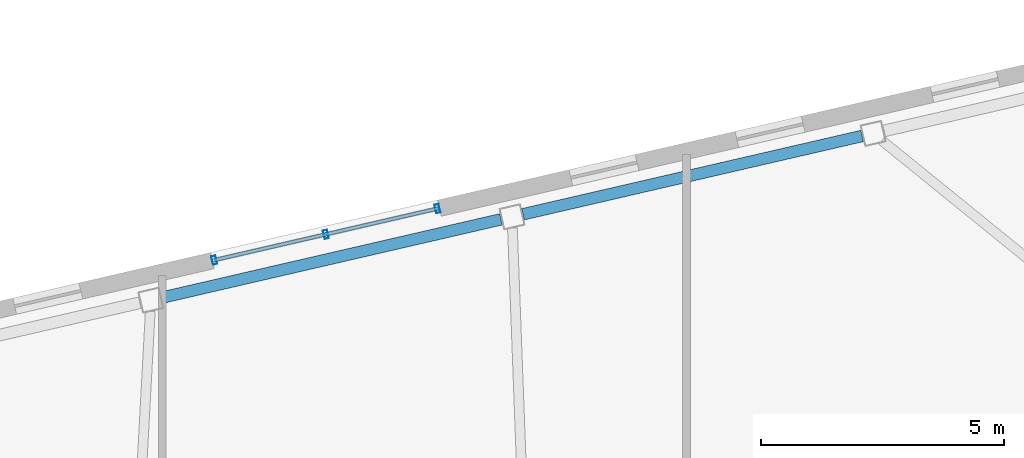
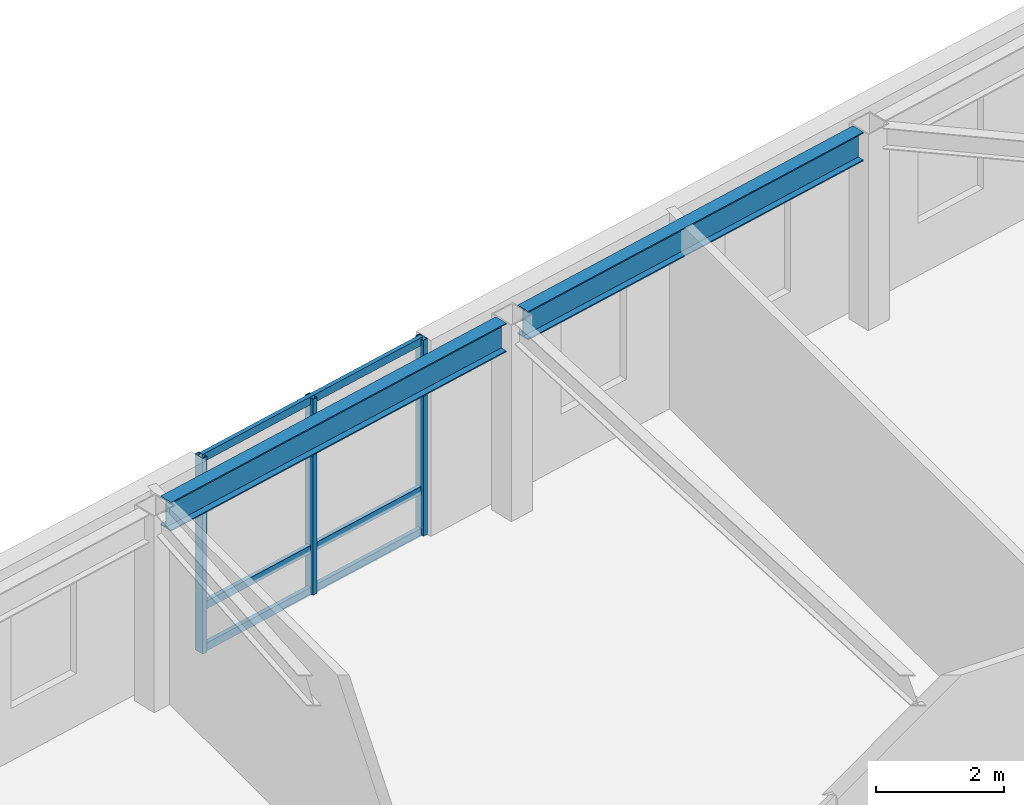
# One storey, part 14 of 23: 6 members, 2 beams, 1 element without a shape of its own.
"""IFC4 building model written with IfcOpenShell, lengths in metres."""

from ifc_helpers import new_model, si_unit, direction, frame, origin, origin_2d, place, context, subcontext, project, spatial, hollow_rectangle, i_section, extrude, material, layer, layer_set, material_profile, profile_set, type_object, element, aggregate, save


model = new_model("IFC4")

# Units and contexts
model_context = context("Model", 3, precision=1e-05, world=origin(), true_north=direction((0.0, 1.0)))
body_context = subcontext(model_context, "Body", "Model", "MODEL_VIEW")
ifc_project = project(units=[si_unit("LENGTHUNIT", "METRE"), si_unit("AREAUNIT", "SQUARE_METRE"), si_unit("VOLUMEUNIT", "CUBIC_METRE"), si_unit("PLANEANGLEUNIT", "RADIAN"), si_unit("MASSUNIT", "GRAM", prefix="KILO")], contexts=[model_context])

# Site, building, storey
site_placement = place(None, origin())
site = spatial("IfcSite", under=ifc_project, at=site_placement, CompositionType="ELEMENT")
building_placement = place(site_placement, origin())
building = spatial("IfcBuilding", under=site, at=building_placement, Name="Tavrogorsk Clinical Tower", CompositionType="ELEMENT")
storey_placement = place(building_placement, frame((0.0, 0.0, 297.0)))
storey = spatial("IfcBuildingStorey", under=building, at=storey_placement, Name="L69", CompositionType="ELEMENT", Elevation=297.0)

# Curtain wall, members
ifc_material_1 = material(Name="Anodised aluminium and triple IGU glazing", Category="aluminium")
ifc_layer = layer(ifc_material_1, 0.179931640625)
ifc_layer_set = layer_set([ifc_layer], Name="Anodised aluminium and triple IGU glazing")
curtain_wall_type = type_object("IfcCurtainWallType", Name="CW2_NorthSlot", PredefinedType="NOTDEFINED", material=ifc_layer_set)
curtain_wall_placement = place(storey_placement, origin())
curtain_wall = element("IfcCurtainWall", 1, at=curtain_wall_placement, inside=storey, type_object=curtain_wall_type, Name="L69 Curtain Wall CW-L69-N-SLOT-2", PredefinedType="NOTDEFINED")
ifc_material_2 = material(Name="Anodised aluminium alloy AW-6060", Category="aluminium")
ifc_material_profile_1 = material_profile(ifc_material_2, hollow_rectangle(XDim=0.090087890625, YDim=0.179931640625, WallThickness=0.00634765625, at=origin_2d()), Name="RHS-180x90x6.3")
ifc_profile_set_1 = profile_set([ifc_material_profile_1], Name="Anodised aluminium alloy AW-6060")
member_type_1 = type_object("IfcMemberType", Name="CwMullion_180x90", PredefinedType="MULLION", material=ifc_profile_set_1)
member_1_placement = place(storey_placement, frame((2.26904296875, 22.400634765625, 0.0), z_axis=(0.0, 0.0, 1.0), x_axis=(-0.974370092441, -0.224950934554, 0.0)))
member_1 = element("IfcMember", 2, at=member_1_placement, type_object=member_type_1, Name="CW-L69-N-SLOT-2 Mullion 1", PredefinedType="MULLION", context=body_context, shape_type="SweptSolid", body=[
    extrude(hollow_rectangle(XDim=0.090087890625, YDim=0.179931640625, WallThickness=0.00634765625, at=origin_2d()), origin(), (0.0, 0.0, 1.0), 3.739990234375),
])
member_2_placement = place(storey_placement, frame((-0.029541015625, 21.869873046875, 0.0), z_axis=(0.0, 0.0, 1.0), x_axis=(-0.974370092441, -0.224950934554, 0.0)))
member_2 = element("IfcMember", 3, at=member_2_placement, type_object=member_type_1, Name="CW-L69-N-SLOT-2 Mullion 2", PredefinedType="MULLION", context=body_context, shape_type="SweptSolid", body=[
    extrude(hollow_rectangle(XDim=0.090087890625, YDim=0.179931640625, WallThickness=0.00634765625, at=origin_2d()), origin(), (0.0, 0.0, 1.0), 3.739990234375),
])
member_3_placement = place(storey_placement, frame((-2.328125, 21.339111328125, 0.0), z_axis=(0.0, 0.0, 1.0), x_axis=(-0.974370092441, -0.224950934554, 0.0)))
member_3 = element("IfcMember", 4, at=member_3_placement, type_object=member_type_1, Name="CW-L69-N-SLOT-2 Mullion 3", PredefinedType="MULLION", context=body_context, shape_type="SweptSolid", body=[
    extrude(hollow_rectangle(XDim=0.090087890625, YDim=0.179931640625, WallThickness=0.00634765625, at=origin_2d()), origin(), (0.0, 0.0, 1.0), 3.739990234375),
])
ifc_material_3 = material(Name="Anodised aluminium alloy AW-6060", Category="aluminium")
ifc_material_profile_2 = material_profile(ifc_material_3, hollow_rectangle(XDim=0.074951171875, YDim=0.14990234375, WallThickness=0.0048828125, at=origin_2d()), Name="RHS-150x75x5")
ifc_profile_set_2 = profile_set([ifc_material_profile_2], Name="Anodised aluminium alloy AW-6060")
member_type_2 = type_object("IfcMemberType", Name="CwTransom_150x75", PredefinedType="USERDEFINED", material=ifc_profile_set_2)
member_4_placement = place(storey_placement, frame((2.26904296875, 22.400634765625, 0.050048828125), z_axis=(-0.974361535497, -0.224987995557, 0.0), x_axis=(0.224987995557, -0.974361535497, 0.0)))
member_4 = element("IfcMember", 5, at=member_4_placement, type_object=member_type_2, Name="CW-L69-N-SLOT-2 Transom 1", ObjectType="TRANSOM", PredefinedType="USERDEFINED", context=body_context, shape_type="SweptSolid", body=[
    extrude(hollow_rectangle(XDim=0.074951171875, YDim=0.14990234375, WallThickness=0.0048828125, at=origin_2d()), origin(), (0.0, 0.0, 1.0), 4.718017578125),
])
member_5_placement = place(storey_placement, frame((2.26904296875, 22.400634765625, 0.85009765625), z_axis=(-0.974361535497, -0.224987995557, 0.0), x_axis=(0.224987995557, -0.974361535497, 0.0)))
member_5 = element("IfcMember", 6, at=member_5_placement, type_object=member_type_2, Name="CW-L69-N-SLOT-2 Transom 2", ObjectType="TRANSOM", PredefinedType="USERDEFINED", context=body_context, shape_type="SweptSolid", body=[
    extrude(hollow_rectangle(XDim=0.074951171875, YDim=0.14990234375, WallThickness=0.0048828125, at=origin_2d()), origin(), (0.0, 0.0, 1.0), 4.718017578125),
])
member_6_placement = place(storey_placement, frame((2.26904296875, 22.400634765625, 3.68994140625), z_axis=(-0.974361535497, -0.224987995557, 0.0), x_axis=(0.224987995557, -0.974361535497, 0.0)))
member_6 = element("IfcMember", 7, at=member_6_placement, type_object=member_type_2, Name="CW-L69-N-SLOT-2 Transom 3", ObjectType="TRANSOM", PredefinedType="USERDEFINED", context=body_context, shape_type="SweptSolid", body=[
    extrude(hollow_rectangle(XDim=0.074951171875, YDim=0.14990234375, WallThickness=0.0048828125, at=origin_2d()), origin(), (0.0, 0.0, 1.0), 4.718017578125),
])
aggregate(curtain_wall, [member_1, member_2, member_3, member_4, member_5, member_6])

# Beams
ifc_material_4 = material(Name="Structural steel S390", Category="steel")
ifc_material_profile_3 = material_profile(ifc_material_4, i_section(OverallWidth=0.239990234375, OverallDepth=0.550048828125, WebThickness=0.013916015625, FlangeThickness=0.02197265625, at=origin_2d()), Name="B-550x240x14x22")
ifc_profile_set_3 = profile_set([ifc_material_profile_3], Name="Structural steel S390")
beam_type = type_object("IfcBeamType", Name="SpandrelBeam_B550", PredefinedType="SPANDREL", material=ifc_profile_set_3)
for number, where, z_axis, x_axis, name in (
    (8, (11.01611328125, 23.896484375, 3.465087890625), (-0.974369378592, -0.224954026551, 0.0), (0.224954026551, -0.974369378592, 0.0), "L69 Perimeter Spandrel N2-N3"),
    (9, (3.577392578125, 22.17919921875, 3.465087890625), (-0.974369378592, -0.224954026551, 0.0), (0.224954026551, -0.974369378592, 0.0), "L69 Perimeter Spandrel N3-N4"),
):
    element("IfcBeam", number, at=place(storey_placement, frame(where, z_axis=z_axis, x_axis=x_axis)), inside=storey, type_object=beam_type, Name=name, PredefinedType="SPANDREL", context=body_context, shape_type="SweptSolid", body=[
        extrude(i_section(OverallWidth=0.239990234375, OverallDepth=0.550048828125, WebThickness=0.013916015625, FlangeThickness=0.02197265625, at=origin_2d()), origin(), (0.0, 0.0, 1.0), 7.16845703125),
    ])

save(model, "model.ifc")
